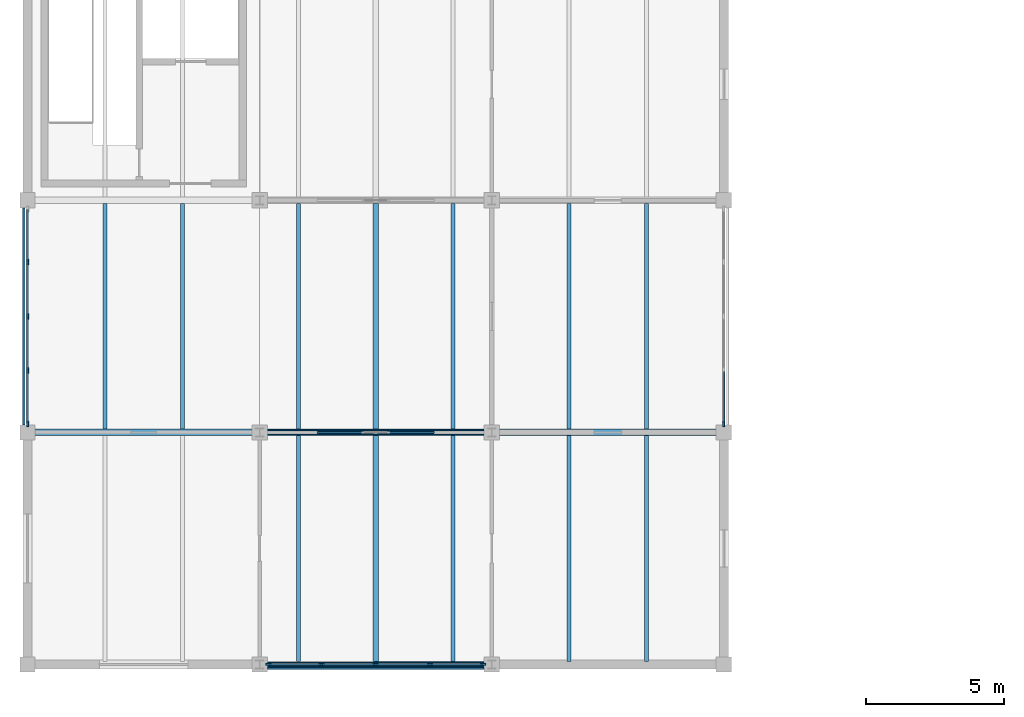
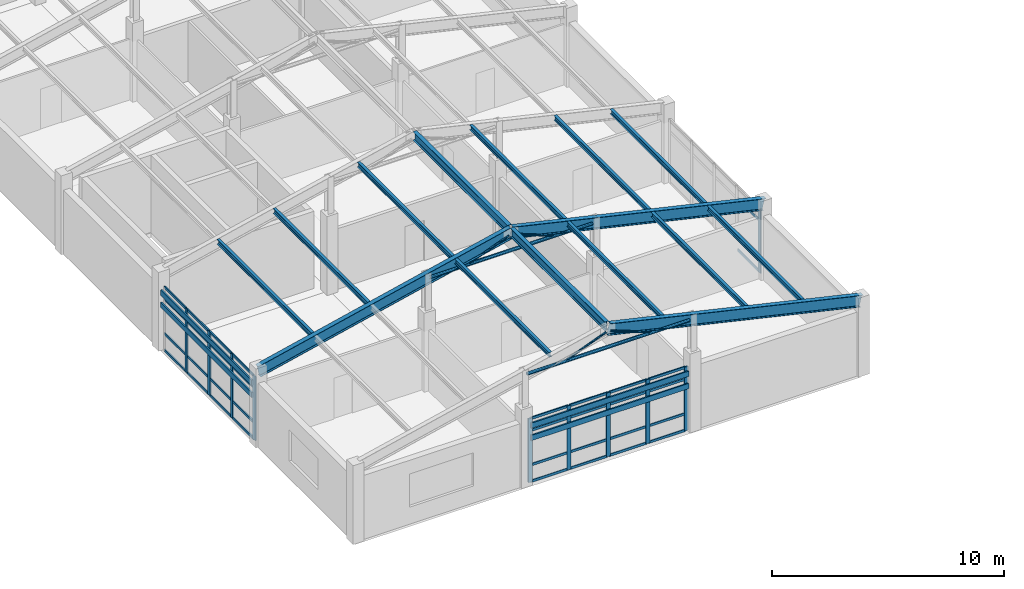
# One storey, part 4 of 40: 65 members, 5 beams, 3 elements without a shape of their own.
"""IFC4 building model written with IfcOpenShell, lengths in metres."""

import ifcopenshell
import ifcopenshell.guid

model = None  # the IFC model being written
_history = None  # IfcOwnerHistory: only IFC2X3 demands one
_inside = {}  # id of a spatial element -> (the spatial element, [elements in it])
_under = {}  # id of a project, library or spatial element -> (it, [spatial elements below it])
_declared = {}  # id of a project -> (the project, [libraries it declares])
_typed = {}  # id of a type object -> (the type object, [elements of that type])
_made_of = {}  # id of a material, layer set ... -> (it, [elements and type objects made of it])


def new_model(schema):
    """Start an empty IFC model of exactly this schema.

    Asked for "IFC4X3", IfcOpenShell would pick the latest addendum, in which some entities
    have other attributes; the version numbers below select the first issue.
    IFC2X3 requires an IfcOwnerHistory on every rooted entity: one is made here for all.
    """
    global model, _history
    if schema == "IFC4X3":
        model = ifcopenshell.file(schema_version=(4, 3, 0, 0))
    else:
        model = ifcopenshell.file(schema=schema)
    _inside.clear()
    _under.clear()
    _declared.clear()
    _typed.clear()
    _made_of.clear()
    _history = None
    if model.schema == "IFC2X3":
        org = make("IfcOrganization", Name="unknown")
        user = make(
            "IfcPersonAndOrganization",
            ThePerson=make("IfcPerson", FamilyName="unknown"),
            TheOrganization=org,
        )
        app = make(
            "IfcApplication",
            ApplicationDeveloper=org,
            Version="unknown",
            ApplicationFullName="unknown",
            ApplicationIdentifier="unknown",
        )
        _history = make(
            "IfcOwnerHistory",
            OwningUser=user,
            OwningApplication=app,
            ChangeAction="ADDED",
            CreationDate=0,
        )
    return model


def make(cls, **values):
    """One entity of the class cls with the attributes given. An attribute that is None is left unset."""
    return model.create_entity(
        cls, **{name: value for name, value in values.items() if value is not None}
    )


def rooted(cls, **values):
    """An entity with a GlobalId (a new one), such as an element, a storey or a relation."""
    return make(cls, GlobalId=ifcopenshell.guid.new(), OwnerHistory=_history, **values)


def si_unit(unit_type, name, prefix=None):
    """IfcSIUnit, for example si_unit("LENGTHUNIT", "METRE", prefix="MILLI")."""
    return make("IfcSIUnit", UnitType=unit_type, Prefix=prefix, Name=name)


def assignment(units):
    """IfcUnitAssignment: the units of a project."""
    return None if units is None else make("IfcUnitAssignment", Units=units)


def point(xyz):
    """IfcCartesianPoint."""
    return None if xyz is None else make("IfcCartesianPoint", Coordinates=xyz)


def direction(xyz):
    """IfcDirection."""
    return None if xyz is None else make("IfcDirection", DirectionRatios=xyz)


def frame(location, z_axis=None, x_axis=None):
    """IfcAxis2Placement3D, a coordinate frame: its origin and axes. An axis left out is left unset."""
    return make(
        "IfcAxis2Placement3D",
        Location=point(location),
        Axis=direction(z_axis),
        RefDirection=direction(x_axis),
    )


def frame_2d(location, x_axis=None):
    """IfcAxis2Placement2D, a coordinate frame in the plane: its origin and x axis."""
    return make(
        "IfcAxis2Placement2D", Location=point(location), RefDirection=direction(x_axis)
    )


def origin():
    """The frame at (0, 0, 0) with its axes left unset."""
    return frame((0.0, 0.0, 0.0))


def origin_2d():
    """The frame at (0, 0) in the plane with its x axis left unset."""
    return frame_2d((0.0, 0.0))


def place(relative_to, where):
    """IfcLocalPlacement: puts the frame where relative to a parent placement (None: the world)."""
    return make(
        "IfcLocalPlacement", PlacementRelTo=relative_to, RelativePlacement=where
    )


def context(
    kind, dimensions, precision=None, world=None, true_north=None, identifier=None
):
    """IfcGeometricRepresentationContext, for example the 3D "Model" context."""
    return make(
        "IfcGeometricRepresentationContext",
        ContextIdentifier=identifier,
        ContextType=kind,
        CoordinateSpaceDimension=dimensions,
        Precision=precision,
        WorldCoordinateSystem=world,
        TrueNorth=true_north,
    )


def subcontext(parent, identifier, kind, view, scale=None):
    """IfcGeometricRepresentationSubContext, for example "Body" below "Model"."""
    return make(
        "IfcGeometricRepresentationSubContext",
        ContextIdentifier=identifier,
        ContextType=kind,
        ParentContext=parent,
        TargetScale=scale,
        TargetView=view,
    )


def project(units=None, contexts=None):
    """IfcProject with its units and contexts."""
    return rooted(
        "IfcProject",
        Name="project",
        RepresentationContexts=contexts,
        UnitsInContext=assignment(units),
    )


def spatial(cls, under=None, at=None, **own):
    """A site, building, storey or space (cls), placed at a placement, below another one or the project."""
    s = rooted(cls, ObjectPlacement=at, **own)
    if under is not None:
        _under.setdefault(under.id(), (under, []))[1].append(s)
    return s


def profile(cls, at=None, kind="AREA", **sizes):
    """A parametric profile (cls). Its sizes go by their IFC names, for example OverallWidth=200.0."""
    return make(cls, ProfileType=kind, Position=at, **sizes)


def rectangle(**sizes):
    """IfcRectangleProfileDef."""
    return profile("IfcRectangleProfileDef", **sizes)


def hollow_circle(**sizes):
    """IfcCircleHollowProfileDef."""
    return profile("IfcCircleHollowProfileDef", **sizes)


def i_section(**sizes):
    """IfcIShapeProfileDef."""
    return profile("IfcIShapeProfileDef", **sizes)


def extrude(swept, where, along, depth):
    """IfcExtrudedAreaSolid: the profile swept, set in the frame where, extruded along a direction by depth."""
    return make(
        "IfcExtrudedAreaSolid",
        SweptArea=swept,
        Position=where,
        ExtrudedDirection=direction(along),
        Depth=depth,
    )


def shape(context_of_items, identifier, shape_type, items):
    """IfcShapeRepresentation: the items that make up one representation, for example the "Body"."""
    return make(
        "IfcShapeRepresentation",
        ContextOfItems=context_of_items,
        RepresentationIdentifier=identifier,
        RepresentationType=shape_type,
        Items=items,
    )


def material(Name=None, Category=None):
    """IfcMaterial."""
    return make("IfcMaterial", Name=Name, Category=Category)


def layer(
    of_material, thickness, ventilated=None, Name=None, Category=None, Priority=None
):
    """IfcMaterialLayer: one layer of a wall or slab, of a material (None: an air gap)."""
    return make(
        "IfcMaterialLayer",
        Material=of_material,
        LayerThickness=thickness,
        IsVentilated=ventilated,
        Name=Name,
        Category=Category,
        Priority=Priority,
    )


def layer_set(layers, Name=None):
    """IfcMaterialLayerSet."""
    return make("IfcMaterialLayerSet", MaterialLayers=layers, LayerSetName=Name)


def material_profile(
    of_material, cross_section, Name=None, Category=None, Priority=None
):
    """IfcMaterialProfile: a cross section and its material."""
    return make(
        "IfcMaterialProfile",
        Name=Name,
        Material=of_material,
        Profile=cross_section,
        Priority=Priority,
        Category=Category,
    )


def profile_set(profiles, Name=None, composite=None):
    """IfcMaterialProfileSet."""
    return make(
        "IfcMaterialProfileSet",
        Name=Name,
        MaterialProfiles=profiles,
        CompositeProfile=composite,
    )


def made_of(thing, what):
    """Note that an element or type object is made of a material, layer set ...; save() writes the relation."""
    if what is not None:
        _made_of.setdefault(what.id(), (what, []))[1].append(thing)
    return thing


def type_object(cls, material=None, **own):
    """A type object (cls), such as IfcWallType, which elements share."""
    return made_of(rooted(cls, **own), material)


def element(
    cls,
    number,
    at=None,
    inside=None,
    cuts=None,
    type_object=None,
    material=None,
    context=None,
    identifier="Body",
    shape_type=None,
    held_by="IfcProductDefinitionShape",
    body=None,
    shapes=None,
    **own,
):
    """One element of the class cls, such as IfcWall. Its Tag is "e" and its number.

    at: its placement. inside: the storey or other place that contains it. cuts: it is an
    opening in that element (IfcRelVoidsElement). A single representation is given by context,
    identifier, shape_type and body (its items); several are given by shapes. held_by: the class
    of the entity that holds the representations. save() writes the other relations.
    """
    e = rooted(cls, Tag="e%d" % number, ObjectPlacement=at, **own)
    if body is not None:
        shapes = [shape(context, identifier, shape_type, body)]
    if shapes is not None:
        e.Representation = make(held_by, Representations=shapes)
    if inside is not None:
        _inside.setdefault(inside.id(), (inside, []))[1].append(e)
    if cuts is not None:
        rooted(
            "IfcRelVoidsElement", RelatingBuildingElement=cuts, RelatedOpeningElement=e
        )
    if type_object is not None:
        _typed.setdefault(type_object.id(), (type_object, []))[1].append(e)
    return made_of(e, material)


def aggregate(whole, parts):
    """IfcRelAggregates: a whole, such as a stair, and the parts it consists of."""
    return rooted("IfcRelAggregates", RelatingObject=whole, RelatedObjects=parts)


def save(model, path):
    """Write the relations noted so far, then the file.

    IfcRelAggregates (storeys below a building ...), IfcRelContainedInSpatialStructure (elements
    in a storey), IfcRelDefinesByType, IfcRelAssociatesMaterial and IfcRelDeclares: one each for
    every whole, place, type object, material and project.
    """
    for whole, parts in _under.values():
        aggregate(whole, parts)
    for where, things in _inside.values():
        rooted(
            "IfcRelContainedInSpatialStructure",
            RelatedElements=things,
            RelatingStructure=where,
        )
    for kind, things in _typed.values():
        rooted("IfcRelDefinesByType", RelatedObjects=things, RelatingType=kind)
    for what, things in _made_of.values():
        rooted("IfcRelAssociatesMaterial", RelatedObjects=things, RelatingMaterial=what)
    for by, libraries in _declared.values():
        rooted("IfcRelDeclares", RelatingContext=by, RelatedDefinitions=libraries)
    model.write(path)


model = new_model("IFC4")

# Units and contexts
model_context = context("Model", 3, precision=1e-05, world=origin(), true_north=direction((0.0, 1.0)))
body_context = subcontext(model_context, "Body", "Model", "MODEL_VIEW")
ifc_project = project(units=[si_unit("LENGTHUNIT", "METRE"), si_unit("AREAUNIT", "SQUARE_METRE"), si_unit("VOLUMEUNIT", "CUBIC_METRE"), si_unit("PLANEANGLEUNIT", "RADIAN"), si_unit("MASSUNIT", "GRAM", prefix="KILO")], contexts=[model_context])

# Site, building, storey
site_placement = place(None, origin())
site = spatial("IfcSite", under=ifc_project, at=site_placement, CompositionType="ELEMENT")
building_placement = place(site_placement, origin())
building = spatial("IfcBuilding", under=site, at=building_placement, Name="Porcellanite Civic Hall", CompositionType="ELEMENT")
storey_placement = place(building_placement, frame((0.0, 0.0, 19.080078125)))
storey = spatial("IfcBuildingStorey", under=building, at=storey_placement, Name="L04", CompositionType="ELEMENT", Elevation=19.080078125)

# Members
ifc_material_1 = material(Name="Steel C350L0", Category="steel")
ifc_material_profile_1 = material_profile(ifc_material_1, hollow_circle(Radius=0.05712890625, WallThickness=0.006103515625, at=origin_2d()), Name="114.3x6.0CHS")
ifc_profile_set_1 = profile_set([ifc_material_profile_1], Name="Steel C350L0")
member_type_1 = type_object("IfcMemberType", Name="BRC-114CHS", PredefinedType="BRACE", material=ifc_profile_set_1)
for number, where, z_axis, x_axis, name in (
    (1, (18.89990234375, 16.800048828125, 5.7998046875), (0.931726918687, 0.0, 0.363159674239), (0.0, 1.0, 0.0), "Committee west web 2"),
    (2, (23.10009765625, 16.800048828125, 5.7998046875), (-0.931726918687, 0.0, 0.363159674239), (0.0, -1.0, 0.0), "Committee east web 2"),
    (3, (18.89990234375, 25.199951171875, 5.7998046875), (0.931726918687, 0.0, 0.363159674239), (0.0, 1.0, 0.0), "Committee west web 3"),
    (4, (23.10009765625, 25.199951171875, 5.7998046875), (-0.931726918687, 0.0, 0.363159674239), (0.0, -1.0, 0.0), "Committee east web 3"),
):
    element("IfcMember", number, at=place(storey_placement, frame(where, z_axis=z_axis, x_axis=x_axis)), inside=storey, type_object=member_type_1, Name=name, PredefinedType="BRACE", context=body_context, shape_type="SweptSolid", body=[
        extrude(hollow_circle(Radius=0.05712890625, WallThickness=0.006103515625, at=origin_2d()), origin(), (0.0, 0.0, 1.0), 2.146484375),
    ])
ifc_material_2 = material(Name="Steel C350L0", Category="steel")
ifc_material_profile_2 = material_profile(ifc_material_2, hollow_circle(Radius=0.084228515625, WallThickness=0.007080078125, at=origin_2d()), Name="168.3x7.1CHS")
ifc_profile_set_2 = profile_set([ifc_material_profile_2], Name="Steel C350L0")
member_type_2 = type_object("IfcMemberType", Name="BRC-168CHS", PredefinedType="BRACE", material=ifc_profile_set_2)
for number, where, z_axis, x_axis, name in (
    (5, (16.949951171875, 16.800048828125, 5.759765625), (1.0, 0.0, 0.0), (0.0, 1.0, 0.0), "Committee collar tie 2"),
    (6, (16.949951171875, 25.199951171875, 5.759765625), (1.0, 0.0, 0.0), (0.0, 1.0, 0.0), "Committee collar tie 3"),
):
    element("IfcMember", number, at=place(storey_placement, frame(where, z_axis=z_axis, x_axis=x_axis)), inside=storey, type_object=member_type_2, Name=name, PredefinedType="BRACE", context=body_context, shape_type="SweptSolid", body=[
        extrude(hollow_circle(Radius=0.084228515625, WallThickness=0.007080078125, at=origin_2d()), origin(), (0.0, 0.0, 1.0), 8.10009765625),
    ])

# Curtain wall, members
ifc_material_3 = material(Name="Anodised aluminium and solar laminated glass", Category="aluminium")
ifc_layer = layer(ifc_material_3, 0.179931640625)
ifc_layer_set = layer_set([ifc_layer], Name="Anodised aluminium and solar laminated glass")
curtain_wall_type = type_object("IfcCurtainWallType", Name="CW-SYS05", PredefinedType="NOTDEFINED", material=ifc_layer_set)
curtain_wall_1_placement = place(storey_placement, origin())
curtain_wall_1 = element("IfcCurtainWall", 7, at=curtain_wall_1_placement, inside=storey, type_object=curtain_wall_type, Name="Curtain wall CW-229", PredefinedType="NOTDEFINED")
ifc_material_4 = material(Name="Anodised aluminium 6063-T6", Category="aluminium")
ifc_material_profile_3 = material_profile(ifc_material_4, rectangle(XDim=0.070068359375, YDim=0.199951171875, at=origin_2d()), Name="AL-70x200")
ifc_profile_set_3 = profile_set([ifc_material_profile_3], Name="Anodised aluminium 6063-T6")
member_type_3 = type_object("IfcMemberType", Name="CWM-05", PredefinedType="MULLION", material=ifc_profile_set_3)
member_1_placement = place(storey_placement, frame((8.39990234375, 25.510986328125, 0.0), z_axis=(0.0, 0.0, 1.0), x_axis=(-1.0, 0.0, 0.0)))
member_1 = element("IfcMember", 8, at=member_1_placement, type_object=member_type_3, Name="CW-229 mullion 1", PredefinedType="MULLION", context=body_context, shape_type="SweptSolid", body=[
    extrude(rectangle(XDim=0.070068359375, YDim=0.199951171875, at=origin_2d()), origin(), (0.0, 0.0, 1.0), 3.369873046875),
])
member_2_placement = place(storey_placement, frame((8.39990234375, 27.43798828125, 0.0), z_axis=(0.0, 0.0, 1.0), x_axis=(-1.0, 0.0, 0.0)))
member_2 = element("IfcMember", 9, at=member_2_placement, type_object=member_type_3, Name="CW-229 mullion 2", PredefinedType="MULLION", context=body_context, shape_type="SweptSolid", body=[
    extrude(rectangle(XDim=0.070068359375, YDim=0.199951171875, at=origin_2d()), origin(), (0.0, 0.0, 1.0), 3.369873046875),
])
member_3_placement = place(storey_placement, frame((8.39990234375, 29.39990234375, 0.0), z_axis=(0.0, 0.0, 1.0), x_axis=(-1.0, 0.0, 0.0)))
member_3 = element("IfcMember", 10, at=member_3_placement, type_object=member_type_3, Name="CW-229 mullion 3", PredefinedType="MULLION", context=body_context, shape_type="SweptSolid", body=[
    extrude(rectangle(XDim=0.070068359375, YDim=0.199951171875, at=origin_2d()), origin(), (0.0, 0.0, 1.0), 3.369873046875),
])
member_4_placement = place(storey_placement, frame((8.39990234375, 31.362060546875, 0.0), z_axis=(0.0, 0.0, 1.0), x_axis=(-1.0, 0.0, 0.0)))
member_4 = element("IfcMember", 11, at=member_4_placement, type_object=member_type_3, Name="CW-229 mullion 4", PredefinedType="MULLION", context=body_context, shape_type="SweptSolid", body=[
    extrude(rectangle(XDim=0.070068359375, YDim=0.199951171875, at=origin_2d()), origin(), (0.0, 0.0, 1.0), 3.369873046875),
])

curtain_wall_2_placement = place(storey_placement, origin())
curtain_wall_2 = element("IfcCurtainWall", 12, at=curtain_wall_2_placement, inside=storey, type_object=curtain_wall_type, Name="Curtain wall CW-232", PredefinedType="NOTDEFINED")
member_5_placement = place(storey_placement, frame((24.888916015625, 16.800048828125, 0.0), z_axis=(0.0, 0.0, 1.0), x_axis=(0.0, -1.0, 0.0)))
member_5 = element("IfcMember", 13, at=member_5_placement, type_object=member_type_3, Name="CW-232 mullion 1", PredefinedType="MULLION", context=body_context, shape_type="SweptSolid", body=[
    extrude(rectangle(XDim=0.070068359375, YDim=0.199951171875, at=origin_2d()), origin(), (0.0, 0.0, 1.0), 3.369873046875),
])
member_6_placement = place(storey_placement, frame((22.9619140625, 16.800048828125, 0.0), z_axis=(0.0, 0.0, 1.0), x_axis=(0.0, -1.0, 0.0)))
member_6 = element("IfcMember", 14, at=member_6_placement, type_object=member_type_3, Name="CW-232 mullion 2", PredefinedType="MULLION", context=body_context, shape_type="SweptSolid", body=[
    extrude(rectangle(XDim=0.070068359375, YDim=0.199951171875, at=origin_2d()), origin(), (0.0, 0.0, 1.0), 3.369873046875),
])
member_7_placement = place(storey_placement, frame((21.0, 16.800048828125, 0.0), z_axis=(0.0, 0.0, 1.0), x_axis=(0.0, -1.0, 0.0)))
member_7 = element("IfcMember", 15, at=member_7_placement, type_object=member_type_3, Name="CW-232 mullion 3", PredefinedType="MULLION", context=body_context, shape_type="SweptSolid", body=[
    extrude(rectangle(XDim=0.070068359375, YDim=0.199951171875, at=origin_2d()), origin(), (0.0, 0.0, 1.0), 3.369873046875),
])
member_8_placement = place(storey_placement, frame((19.0380859375, 16.800048828125, 0.0), z_axis=(0.0, 0.0, 1.0), x_axis=(0.0, -1.0, 0.0)))
member_8 = element("IfcMember", 16, at=member_8_placement, type_object=member_type_3, Name="CW-232 mullion 4", PredefinedType="MULLION", context=body_context, shape_type="SweptSolid", body=[
    extrude(rectangle(XDim=0.070068359375, YDim=0.199951171875, at=origin_2d()), origin(), (0.0, 0.0, 1.0), 3.369873046875),
])
member_9_placement = place(storey_placement, frame((17.111083984375, 16.800048828125, 0.0), z_axis=(0.0, 0.0, 1.0), x_axis=(0.0, -1.0, 0.0)))
member_9 = element("IfcMember", 17, at=member_9_placement, type_object=member_type_3, Name="CW-232 mullion 5", PredefinedType="MULLION", context=body_context, shape_type="SweptSolid", body=[
    extrude(rectangle(XDim=0.070068359375, YDim=0.199951171875, at=origin_2d()), origin(), (0.0, 0.0, 1.0), 3.369873046875),
])

# Curtain wall, member
curtain_wall_3_placement = place(storey_placement, origin())
curtain_wall_3 = element("IfcCurtainWall", 18, at=curtain_wall_3_placement, inside=storey, type_object=curtain_wall_type, Name="Curtain wall CW-233", PredefinedType="NOTDEFINED")
member_10_placement = place(storey_placement, frame((33.60009765625, 25.510986328125, 0.0), z_axis=(0.0, 0.0, 1.0), x_axis=(1.0, 0.0, 0.0)))
member_10 = element("IfcMember", 19, at=member_10_placement, type_object=member_type_3, Name="CW-233 mullion 5", PredefinedType="MULLION", context=body_context, shape_type="SweptSolid", body=[
    extrude(rectangle(XDim=0.070068359375, YDim=0.199951171875, at=origin_2d()), origin(), (0.0, 0.0, 1.0), 3.369873046875),
])

# Member
ifc_material_5 = material(Name="Anodised aluminium 6063-T6", Category="aluminium")
ifc_material_profile_4 = material_profile(ifc_material_5, rectangle(XDim=0.06005859375, YDim=0.1298828125, at=origin_2d()), Name="AL-60x130")
ifc_profile_set_4 = profile_set([ifc_material_profile_4], Name="Anodised aluminium 6063-T6")
member_type_4 = type_object("IfcMemberType", Name="CWT-03", PredefinedType="USERDEFINED", material=ifc_profile_set_4)
member_11_placement = place(storey_placement, frame((8.39990234375, 25.5458984375, 0.030029296875), z_axis=(0.0, 1.0, 0.0), x_axis=(-1.0, 0.0, 0.0)))
member_11 = element("IfcMember", 20, at=member_11_placement, type_object=member_type_4, Name="CW-229 transom 1.1", ObjectType="TRANSOM", PredefinedType="USERDEFINED", context=body_context, shape_type="SweptSolid", body=[
    extrude(rectangle(XDim=0.06005859375, YDim=0.1298828125, at=origin_2d()), origin(), (0.0, 0.0, 1.0), 1.857177734375),
])

member_12_placement = place(storey_placement, frame((8.39990234375, 25.5458984375, 0.89990234375), z_axis=(0.0, 1.0, 0.0), x_axis=(-1.0, 0.0, 0.0)))
member_12 = element("IfcMember", 21, at=member_12_placement, type_object=member_type_4, Name="CW-229 transom 1.2", ObjectType="TRANSOM", PredefinedType="USERDEFINED", context=body_context, shape_type="SweptSolid", body=[
    extrude(rectangle(XDim=0.06005859375, YDim=0.1298828125, at=origin_2d()), origin(), (0.0, 0.0, 1.0), 1.857177734375),
])

member_13_placement = place(storey_placement, frame((8.39990234375, 25.5458984375, 2.719970703125), z_axis=(0.0, 1.0, 0.0), x_axis=(-1.0, 0.0, 0.0)))
member_13 = element("IfcMember", 22, at=member_13_placement, type_object=member_type_4, Name="CW-229 transom 1.3", ObjectType="TRANSOM", PredefinedType="USERDEFINED", context=body_context, shape_type="SweptSolid", body=[
    extrude(rectangle(XDim=0.06005859375, YDim=0.1298828125, at=origin_2d()), origin(), (0.0, 0.0, 1.0), 1.857177734375),
])

member_14_placement = place(storey_placement, frame((8.39990234375, 25.5458984375, 3.33984375), z_axis=(0.0, 1.0, 0.0), x_axis=(-1.0, 0.0, 0.0)))
member_14 = element("IfcMember", 23, at=member_14_placement, type_object=member_type_4, Name="CW-229 transom 1.4", ObjectType="TRANSOM", PredefinedType="USERDEFINED", context=body_context, shape_type="SweptSolid", body=[
    extrude(rectangle(XDim=0.06005859375, YDim=0.1298828125, at=origin_2d()), origin(), (0.0, 0.0, 1.0), 1.857177734375),
])

member_15_placement = place(storey_placement, frame((8.39990234375, 27.472900390625, 0.030029296875), z_axis=(0.0, 1.0, 0.0), x_axis=(-1.0, 0.0, 0.0)))
member_15 = element("IfcMember", 24, at=member_15_placement, type_object=member_type_4, Name="CW-229 transom 2.1", ObjectType="TRANSOM", PredefinedType="USERDEFINED", context=body_context, shape_type="SweptSolid", body=[
    extrude(rectangle(XDim=0.06005859375, YDim=0.1298828125, at=origin_2d()), origin(), (0.0, 0.0, 1.0), 1.89208984375),
])

member_16_placement = place(storey_placement, frame((8.39990234375, 27.472900390625, 0.89990234375), z_axis=(0.0, 1.0, 0.0), x_axis=(-1.0, 0.0, 0.0)))
member_16 = element("IfcMember", 25, at=member_16_placement, type_object=member_type_4, Name="CW-229 transom 2.2", ObjectType="TRANSOM", PredefinedType="USERDEFINED", context=body_context, shape_type="SweptSolid", body=[
    extrude(rectangle(XDim=0.06005859375, YDim=0.1298828125, at=origin_2d()), origin(), (0.0, 0.0, 1.0), 1.89208984375),
])

member_17_placement = place(storey_placement, frame((8.39990234375, 27.472900390625, 2.719970703125), z_axis=(0.0, 1.0, 0.0), x_axis=(-1.0, 0.0, 0.0)))
member_17 = element("IfcMember", 26, at=member_17_placement, type_object=member_type_4, Name="CW-229 transom 2.3", ObjectType="TRANSOM", PredefinedType="USERDEFINED", context=body_context, shape_type="SweptSolid", body=[
    extrude(rectangle(XDim=0.06005859375, YDim=0.1298828125, at=origin_2d()), origin(), (0.0, 0.0, 1.0), 1.89208984375),
])

member_18_placement = place(storey_placement, frame((8.39990234375, 27.472900390625, 3.33984375), z_axis=(0.0, 1.0, 0.0), x_axis=(-1.0, 0.0, 0.0)))
member_18 = element("IfcMember", 27, at=member_18_placement, type_object=member_type_4, Name="CW-229 transom 2.4", ObjectType="TRANSOM", PredefinedType="USERDEFINED", context=body_context, shape_type="SweptSolid", body=[
    extrude(rectangle(XDim=0.06005859375, YDim=0.1298828125, at=origin_2d()), origin(), (0.0, 0.0, 1.0), 1.89208984375),
])

member_19_placement = place(storey_placement, frame((8.39990234375, 29.43505859375, 0.030029296875), z_axis=(0.0, 1.0, 0.0), x_axis=(-1.0, 0.0, 0.0)))
member_19 = element("IfcMember", 28, at=member_19_placement, type_object=member_type_4, Name="CW-229 transom 3.1", ObjectType="TRANSOM", PredefinedType="USERDEFINED", context=body_context, shape_type="SweptSolid", body=[
    extrude(rectangle(XDim=0.06005859375, YDim=0.1298828125, at=origin_2d()), origin(), (0.0, 0.0, 1.0), 1.891845703125),
])

member_20_placement = place(storey_placement, frame((8.39990234375, 29.43505859375, 0.89990234375), z_axis=(0.0, 1.0, 0.0), x_axis=(-1.0, 0.0, 0.0)))
member_20 = element("IfcMember", 29, at=member_20_placement, type_object=member_type_4, Name="CW-229 transom 3.2", ObjectType="TRANSOM", PredefinedType="USERDEFINED", context=body_context, shape_type="SweptSolid", body=[
    extrude(rectangle(XDim=0.06005859375, YDim=0.1298828125, at=origin_2d()), origin(), (0.0, 0.0, 1.0), 1.891845703125),
])

member_21_placement = place(storey_placement, frame((8.39990234375, 29.43505859375, 2.719970703125), z_axis=(0.0, 1.0, 0.0), x_axis=(-1.0, 0.0, 0.0)))
member_21 = element("IfcMember", 30, at=member_21_placement, type_object=member_type_4, Name="CW-229 transom 3.3", ObjectType="TRANSOM", PredefinedType="USERDEFINED", context=body_context, shape_type="SweptSolid", body=[
    extrude(rectangle(XDim=0.06005859375, YDim=0.1298828125, at=origin_2d()), origin(), (0.0, 0.0, 1.0), 1.891845703125),
])

member_22_placement = place(storey_placement, frame((8.39990234375, 29.43505859375, 3.33984375), z_axis=(0.0, 1.0, 0.0), x_axis=(-1.0, 0.0, 0.0)))
member_22 = element("IfcMember", 31, at=member_22_placement, type_object=member_type_4, Name="CW-229 transom 3.4", ObjectType="TRANSOM", PredefinedType="USERDEFINED", context=body_context, shape_type="SweptSolid", body=[
    extrude(rectangle(XDim=0.06005859375, YDim=0.1298828125, at=origin_2d()), origin(), (0.0, 0.0, 1.0), 1.891845703125),
])

member_23_placement = place(storey_placement, frame((8.39990234375, 31.39697265625, 0.030029296875), z_axis=(0.0, 1.0, 0.0), x_axis=(-1.0, 0.0, 0.0)))
member_23 = element("IfcMember", 32, at=member_23_placement, type_object=member_type_4, Name="CW-229 transom 4.1", ObjectType="TRANSOM", PredefinedType="USERDEFINED", context=body_context, shape_type="SweptSolid", body=[
    extrude(rectangle(XDim=0.06005859375, YDim=0.1298828125, at=origin_2d()), origin(), (0.0, 0.0, 1.0), 1.85693359375),
])

member_24_placement = place(storey_placement, frame((8.39990234375, 31.39697265625, 0.89990234375), z_axis=(0.0, 1.0, 0.0), x_axis=(-1.0, 0.0, 0.0)))
member_24 = element("IfcMember", 33, at=member_24_placement, type_object=member_type_4, Name="CW-229 transom 4.2", ObjectType="TRANSOM", PredefinedType="USERDEFINED", context=body_context, shape_type="SweptSolid", body=[
    extrude(rectangle(XDim=0.06005859375, YDim=0.1298828125, at=origin_2d()), origin(), (0.0, 0.0, 1.0), 1.85693359375),
])

member_25_placement = place(storey_placement, frame((8.39990234375, 31.39697265625, 2.719970703125), z_axis=(0.0, 1.0, 0.0), x_axis=(-1.0, 0.0, 0.0)))
member_25 = element("IfcMember", 34, at=member_25_placement, type_object=member_type_4, Name="CW-229 transom 4.3", ObjectType="TRANSOM", PredefinedType="USERDEFINED", context=body_context, shape_type="SweptSolid", body=[
    extrude(rectangle(XDim=0.06005859375, YDim=0.1298828125, at=origin_2d()), origin(), (0.0, 0.0, 1.0), 1.85693359375),
])

member_26_placement = place(storey_placement, frame((8.39990234375, 31.39697265625, 3.33984375), z_axis=(0.0, 1.0, 0.0), x_axis=(-1.0, 0.0, 0.0)))
member_26 = element("IfcMember", 35, at=member_26_placement, type_object=member_type_4, Name="CW-229 transom 4.4", ObjectType="TRANSOM", PredefinedType="USERDEFINED", context=body_context, shape_type="SweptSolid", body=[
    extrude(rectangle(XDim=0.06005859375, YDim=0.1298828125, at=origin_2d()), origin(), (0.0, 0.0, 1.0), 1.85693359375),
])

aggregate(curtain_wall_1, [member_1, member_2, member_3, member_4, member_11, member_12, member_13, member_14, member_15, member_16, member_17, member_18, member_19, member_20, member_21, member_22, member_23, member_24, member_25, member_26])

member_27_placement = place(storey_placement, frame((24.85400390625, 16.800048828125, 0.030029296875), z_axis=(-1.0, 0.0, 0.0), x_axis=(0.0, -1.0, 0.0)))
member_27 = element("IfcMember", 36, at=member_27_placement, type_object=member_type_4, Name="CW-232 transom 1.1", ObjectType="TRANSOM", PredefinedType="USERDEFINED", context=body_context, shape_type="SweptSolid", body=[
    extrude(rectangle(XDim=0.06005859375, YDim=0.1298828125, at=origin_2d()), origin(), (0.0, 0.0, 1.0), 1.85693359375),
])

member_28_placement = place(storey_placement, frame((24.85400390625, 16.800048828125, 0.89990234375), z_axis=(-1.0, 0.0, 0.0), x_axis=(0.0, -1.0, 0.0)))
member_28 = element("IfcMember", 37, at=member_28_placement, type_object=member_type_4, Name="CW-232 transom 1.2", ObjectType="TRANSOM", PredefinedType="USERDEFINED", context=body_context, shape_type="SweptSolid", body=[
    extrude(rectangle(XDim=0.06005859375, YDim=0.1298828125, at=origin_2d()), origin(), (0.0, 0.0, 1.0), 1.85693359375),
])

member_29_placement = place(storey_placement, frame((24.85400390625, 16.800048828125, 2.719970703125), z_axis=(-1.0, 0.0, 0.0), x_axis=(0.0, -1.0, 0.0)))
member_29 = element("IfcMember", 38, at=member_29_placement, type_object=member_type_4, Name="CW-232 transom 1.3", ObjectType="TRANSOM", PredefinedType="USERDEFINED", context=body_context, shape_type="SweptSolid", body=[
    extrude(rectangle(XDim=0.06005859375, YDim=0.1298828125, at=origin_2d()), origin(), (0.0, 0.0, 1.0), 1.85693359375),
])

member_30_placement = place(storey_placement, frame((24.85400390625, 16.800048828125, 3.33984375), z_axis=(-1.0, 0.0, 0.0), x_axis=(0.0, -1.0, 0.0)))
member_30 = element("IfcMember", 39, at=member_30_placement, type_object=member_type_4, Name="CW-232 transom 1.4", ObjectType="TRANSOM", PredefinedType="USERDEFINED", context=body_context, shape_type="SweptSolid", body=[
    extrude(rectangle(XDim=0.06005859375, YDim=0.1298828125, at=origin_2d()), origin(), (0.0, 0.0, 1.0), 1.85693359375),
])

member_31_placement = place(storey_placement, frame((22.927001953125, 16.800048828125, 0.030029296875), z_axis=(-1.0, 0.0, 0.0), x_axis=(0.0, -1.0, 0.0)))
member_31 = element("IfcMember", 40, at=member_31_placement, type_object=member_type_4, Name="CW-232 transom 2.1", ObjectType="TRANSOM", PredefinedType="USERDEFINED", context=body_context, shape_type="SweptSolid", body=[
    extrude(rectangle(XDim=0.06005859375, YDim=0.1298828125, at=origin_2d()), origin(), (0.0, 0.0, 1.0), 1.89208984375),
])

member_32_placement = place(storey_placement, frame((22.927001953125, 16.800048828125, 0.89990234375), z_axis=(-1.0, 0.0, 0.0), x_axis=(0.0, -1.0, 0.0)))
member_32 = element("IfcMember", 41, at=member_32_placement, type_object=member_type_4, Name="CW-232 transom 2.2", ObjectType="TRANSOM", PredefinedType="USERDEFINED", context=body_context, shape_type="SweptSolid", body=[
    extrude(rectangle(XDim=0.06005859375, YDim=0.1298828125, at=origin_2d()), origin(), (0.0, 0.0, 1.0), 1.89208984375),
])

member_33_placement = place(storey_placement, frame((22.927001953125, 16.800048828125, 2.719970703125), z_axis=(-1.0, 0.0, 0.0), x_axis=(0.0, -1.0, 0.0)))
member_33 = element("IfcMember", 42, at=member_33_placement, type_object=member_type_4, Name="CW-232 transom 2.3", ObjectType="TRANSOM", PredefinedType="USERDEFINED", context=body_context, shape_type="SweptSolid", body=[
    extrude(rectangle(XDim=0.06005859375, YDim=0.1298828125, at=origin_2d()), origin(), (0.0, 0.0, 1.0), 1.89208984375),
])

member_34_placement = place(storey_placement, frame((22.927001953125, 16.800048828125, 3.33984375), z_axis=(-1.0, 0.0, 0.0), x_axis=(0.0, -1.0, 0.0)))
member_34 = element("IfcMember", 43, at=member_34_placement, type_object=member_type_4, Name="CW-232 transom 2.4", ObjectType="TRANSOM", PredefinedType="USERDEFINED", context=body_context, shape_type="SweptSolid", body=[
    extrude(rectangle(XDim=0.06005859375, YDim=0.1298828125, at=origin_2d()), origin(), (0.0, 0.0, 1.0), 1.89208984375),
])

member_35_placement = place(storey_placement, frame((20.965087890625, 16.800048828125, 0.030029296875), z_axis=(-1.0, 0.0, 0.0), x_axis=(0.0, -1.0, 0.0)))
member_35 = element("IfcMember", 44, at=member_35_placement, type_object=member_type_4, Name="CW-232 transom 3.1", ObjectType="TRANSOM", PredefinedType="USERDEFINED", context=body_context, shape_type="SweptSolid", body=[
    extrude(rectangle(XDim=0.06005859375, YDim=0.1298828125, at=origin_2d()), origin(), (0.0, 0.0, 1.0), 1.89208984375),
])

member_36_placement = place(storey_placement, frame((20.965087890625, 16.800048828125, 0.89990234375), z_axis=(-1.0, 0.0, 0.0), x_axis=(0.0, -1.0, 0.0)))
member_36 = element("IfcMember", 45, at=member_36_placement, type_object=member_type_4, Name="CW-232 transom 3.2", ObjectType="TRANSOM", PredefinedType="USERDEFINED", context=body_context, shape_type="SweptSolid", body=[
    extrude(rectangle(XDim=0.06005859375, YDim=0.1298828125, at=origin_2d()), origin(), (0.0, 0.0, 1.0), 1.89208984375),
])

member_37_placement = place(storey_placement, frame((20.965087890625, 16.800048828125, 2.719970703125), z_axis=(-1.0, 0.0, 0.0), x_axis=(0.0, -1.0, 0.0)))
member_37 = element("IfcMember", 46, at=member_37_placement, type_object=member_type_4, Name="CW-232 transom 3.3", ObjectType="TRANSOM", PredefinedType="USERDEFINED", context=body_context, shape_type="SweptSolid", body=[
    extrude(rectangle(XDim=0.06005859375, YDim=0.1298828125, at=origin_2d()), origin(), (0.0, 0.0, 1.0), 1.89208984375),
])

member_38_placement = place(storey_placement, frame((20.965087890625, 16.800048828125, 3.33984375), z_axis=(-1.0, 0.0, 0.0), x_axis=(0.0, -1.0, 0.0)))
member_38 = element("IfcMember", 47, at=member_38_placement, type_object=member_type_4, Name="CW-232 transom 3.4", ObjectType="TRANSOM", PredefinedType="USERDEFINED", context=body_context, shape_type="SweptSolid", body=[
    extrude(rectangle(XDim=0.06005859375, YDim=0.1298828125, at=origin_2d()), origin(), (0.0, 0.0, 1.0), 1.89208984375),
])

member_39_placement = place(storey_placement, frame((19.0029296875, 16.800048828125, 0.030029296875), z_axis=(-1.0, 0.0, 0.0), x_axis=(0.0, -1.0, 0.0)))
member_39 = element("IfcMember", 48, at=member_39_placement, type_object=member_type_4, Name="CW-232 transom 4.1", ObjectType="TRANSOM", PredefinedType="USERDEFINED", context=body_context, shape_type="SweptSolid", body=[
    extrude(rectangle(XDim=0.06005859375, YDim=0.1298828125, at=origin_2d()), origin(), (0.0, 0.0, 1.0), 1.85693359375),
])

member_40_placement = place(storey_placement, frame((19.0029296875, 16.800048828125, 0.89990234375), z_axis=(-1.0, 0.0, 0.0), x_axis=(0.0, -1.0, 0.0)))
member_40 = element("IfcMember", 49, at=member_40_placement, type_object=member_type_4, Name="CW-232 transom 4.2", ObjectType="TRANSOM", PredefinedType="USERDEFINED", context=body_context, shape_type="SweptSolid", body=[
    extrude(rectangle(XDim=0.06005859375, YDim=0.1298828125, at=origin_2d()), origin(), (0.0, 0.0, 1.0), 1.85693359375),
])

member_41_placement = place(storey_placement, frame((19.0029296875, 16.800048828125, 2.719970703125), z_axis=(-1.0, 0.0, 0.0), x_axis=(0.0, -1.0, 0.0)))
member_41 = element("IfcMember", 50, at=member_41_placement, type_object=member_type_4, Name="CW-232 transom 4.3", ObjectType="TRANSOM", PredefinedType="USERDEFINED", context=body_context, shape_type="SweptSolid", body=[
    extrude(rectangle(XDim=0.06005859375, YDim=0.1298828125, at=origin_2d()), origin(), (0.0, 0.0, 1.0), 1.85693359375),
])

member_42_placement = place(storey_placement, frame((19.0029296875, 16.800048828125, 3.33984375), z_axis=(-1.0, 0.0, 0.0), x_axis=(0.0, -1.0, 0.0)))
member_42 = element("IfcMember", 51, at=member_42_placement, type_object=member_type_4, Name="CW-232 transom 4.4", ObjectType="TRANSOM", PredefinedType="USERDEFINED", context=body_context, shape_type="SweptSolid", body=[
    extrude(rectangle(XDim=0.06005859375, YDim=0.1298828125, at=origin_2d()), origin(), (0.0, 0.0, 1.0), 1.85693359375),
])

aggregate(curtain_wall_2, [member_5, member_6, member_7, member_8, member_9, member_27, member_28, member_29, member_30, member_31, member_32, member_33, member_34, member_35, member_36, member_37, member_38, member_39, member_40, member_41, member_42])

member_43_placement = place(storey_placement, frame((33.60009765625, 27.403076171875, 0.030029296875), z_axis=(0.0, -1.0, 0.0), x_axis=(1.0, 0.0, 0.0)))
member_43 = element("IfcMember", 52, at=member_43_placement, type_object=member_type_4, Name="CW-233 transom 4.1", ObjectType="TRANSOM", PredefinedType="USERDEFINED", context=body_context, shape_type="SweptSolid", body=[
    extrude(rectangle(XDim=0.06005859375, YDim=0.1298828125, at=origin_2d()), origin(), (0.0, 0.0, 1.0), 1.857177734375),
])

member_44_placement = place(storey_placement, frame((33.60009765625, 27.403076171875, 0.89990234375), z_axis=(0.0, -1.0, 0.0), x_axis=(1.0, 0.0, 0.0)))
member_44 = element("IfcMember", 53, at=member_44_placement, type_object=member_type_4, Name="CW-233 transom 4.2", ObjectType="TRANSOM", PredefinedType="USERDEFINED", context=body_context, shape_type="SweptSolid", body=[
    extrude(rectangle(XDim=0.06005859375, YDim=0.1298828125, at=origin_2d()), origin(), (0.0, 0.0, 1.0), 1.857177734375),
])

member_45_placement = place(storey_placement, frame((33.60009765625, 27.403076171875, 2.719970703125), z_axis=(0.0, -1.0, 0.0), x_axis=(1.0, 0.0, 0.0)))
member_45 = element("IfcMember", 54, at=member_45_placement, type_object=member_type_4, Name="CW-233 transom 4.3", ObjectType="TRANSOM", PredefinedType="USERDEFINED", context=body_context, shape_type="SweptSolid", body=[
    extrude(rectangle(XDim=0.06005859375, YDim=0.1298828125, at=origin_2d()), origin(), (0.0, 0.0, 1.0), 1.857177734375),
])

aggregate(curtain_wall_3, [member_10, member_43, member_44, member_45])

# Members
ifc_material_6 = material(Name="Fluoropolymer bauxite-red aluminium 6063-T6", Category="aluminium")
ifc_material_profile_5 = material_profile(ifc_material_6, rectangle(XDim=0.070068359375, YDim=0.280029296875, at=origin_2d()), Name="AL-70x280")
ifc_profile_set_5 = profile_set([ifc_material_profile_5], Name="Fluoropolymer bauxite-red aluminium 6063-T6")
member_type_5 = type_object("IfcMemberType", Name="LV-BLD05", PredefinedType="USERDEFINED", material=ifc_profile_set_5)
for number, where, z_axis, x_axis, name in (
    (55, (8.262939453125, 25.474609375, 3.06982421875), (0.0, 1.0, 0.0), (-1.0, 0.0, 0.0), "Cyclone sunshade louvre L04 W 1-3 1"),
    (56, (8.262939453125, 25.474609375, 2.419921875), (0.0, 1.0, 0.0), (-1.0, 0.0, 0.0), "Cyclone sunshade louvre L04 W 1-3 2"),
):
    element("IfcMember", number, at=place(storey_placement, frame(where, z_axis=z_axis, x_axis=x_axis)), inside=storey, type_object=member_type_5, Name=name, ObjectType="LOUVRE BLADE", PredefinedType="USERDEFINED", context=body_context, shape_type="SweptSolid", body=[
        extrude(rectangle(XDim=0.070068359375, YDim=0.280029296875, at=origin_2d()), origin(), (0.0, 0.0, 1.0), 7.850830078125),
    ])
for number, where, z_axis, x_axis, name in (
    (57, (24.925537109375, 16.6630859375, 3.06982421875), (-1.0, 0.0, 0.0), (0.0, -1.0, 0.0), "Cyclone sunshade louvre L04 S 2-2 1"),
    (58, (24.925537109375, 16.6630859375, 2.419921875), (-1.0, 0.0, 0.0), (0.0, -1.0, 0.0), "Cyclone sunshade louvre L04 S 2-2 2"),
):
    element("IfcMember", number, at=place(storey_placement, frame(where, z_axis=z_axis, x_axis=x_axis)), inside=storey, type_object=member_type_5, Name=name, ObjectType="LOUVRE BLADE", PredefinedType="USERDEFINED", context=body_context, shape_type="SweptSolid", body=[
        extrude(rectangle(XDim=0.070068359375, YDim=0.280029296875, at=origin_2d()), origin(), (0.0, 0.0, 1.0), 7.85107421875),
    ])
ifc_material_7 = material(Name="Steel Grade 350", Category="steel")
ifc_material_profile_6 = material_profile(ifc_material_7, i_section(OverallWidth=0.14599609375, OverallDepth=0.251953125, WebThickness=0.006103515625, FlangeThickness=0.008544921875, FilletRadius=0.0087890625, at=origin_2d()), Name="250UB31.4")
ifc_profile_set_6 = profile_set([ifc_material_profile_6], Name="Steel Grade 350")
member_type_6 = type_object("IfcMemberType", Name="PUR-250UB31", PredefinedType="PURLIN", material=ifc_profile_set_6)
for number, where, z_axis, x_axis, name in (
    (59, (18.199951171875, 16.9140625, 6.255859375), (0.0, 1.0, 0.0), (-1.0, 0.0, 0.0), "Committee roof purlin 2 18.2"),
    (60, (23.800048828125, 16.9140625, 6.255859375), (0.0, 1.0, 0.0), (-1.0, 0.0, 0.0), "Committee roof purlin 2 23.8"),
    (61, (28.0, 16.9140625, 5.286376953125), (0.0, 1.0, 0.0), (-1.0, 0.0, 0.0), "Committee roof purlin 2 28.0"),
    (62, (30.800048828125, 16.9140625, 4.639892578125), (0.0, 1.0, 0.0), (-1.0, 0.0, 0.0), "Committee roof purlin 2 30.8"),
):
    element("IfcMember", number, at=place(storey_placement, frame(where, z_axis=z_axis, x_axis=x_axis)), inside=storey, type_object=member_type_6, Name=name, PredefinedType="PURLIN", context=body_context, shape_type="SweptSolid", body=[
        extrude(i_section(OverallWidth=0.14599609375, OverallDepth=0.251953125, WebThickness=0.006103515625, FlangeThickness=0.008544921875, FilletRadius=0.0087890625, at=origin_2d()), origin(), (0.0, 0.0, 1.0), 8.171875),
    ])
for number, where, z_axis, x_axis, name in (
    (63, (11.199951171875, 25.31396484375, 4.639892578125), (0.0, 1.0, 0.0), (-1.0, 0.0, 0.0), "Committee roof purlin 3 11.2"),
    (64, (14.0, 25.31396484375, 5.286376953125), (0.0, 1.0, 0.0), (-1.0, 0.0, 0.0), "Committee roof purlin 3 14.0"),
    (65, (18.199951171875, 25.31396484375, 6.255859375), (0.0, 1.0, 0.0), (-1.0, 0.0, 0.0), "Committee roof purlin 3 18.2"),
    (66, (23.800048828125, 25.31396484375, 6.255859375), (0.0, 1.0, 0.0), (-1.0, 0.0, 0.0), "Committee roof purlin 3 23.8"),
    (67, (28.0, 25.31396484375, 5.286376953125), (0.0, 1.0, 0.0), (-1.0, 0.0, 0.0), "Committee roof purlin 3 28.0"),
    (68, (30.800048828125, 25.31396484375, 4.639892578125), (0.0, 1.0, 0.0), (-1.0, 0.0, 0.0), "Committee roof purlin 3 30.8"),
):
    element("IfcMember", number, at=place(storey_placement, frame(where, z_axis=z_axis, x_axis=x_axis)), inside=storey, type_object=member_type_6, Name=name, PredefinedType="PURLIN", context=body_context, shape_type="SweptSolid", body=[
        extrude(i_section(OverallWidth=0.14599609375, OverallDepth=0.251953125, WebThickness=0.006103515625, FlangeThickness=0.008544921875, FilletRadius=0.0087890625, at=origin_2d()), origin(), (0.0, 0.0, 1.0), 8.172119140625),
    ])

# Beams
ifc_material_8 = material(Name="Steel Grade 350", Category="steel")
ifc_material_profile_7 = material_profile(ifc_material_8, i_section(OverallWidth=0.19091796875, OverallDepth=0.4599609375, WebThickness=0.010009765625, FlangeThickness=0.01611328125, FilletRadius=0.011474609375, at=origin_2d()), Name="460UB82.1")
ifc_profile_set_7 = profile_set([ifc_material_profile_7], Name="Steel Grade 350")
beam_type_1 = type_object("IfcBeamType", Name="RAF-460UB82", PredefinedType="BEAM", material=ifc_profile_set_7)
beam_1_placement = place(storey_placement, frame((21.0, 16.9140625, 6.79150390625), z_axis=(0.0, 1.0, 0.0), x_axis=(-1.0, 0.0, 0.0)))
element("IfcBeam", 69, at=beam_1_placement, inside=storey, type_object=beam_type_1, Name="Committee ridge beam 2", PredefinedType="BEAM", context=body_context, shape_type="SweptSolid", body=[
    extrude(i_section(OverallWidth=0.19091796875, OverallDepth=0.4599609375, WebThickness=0.010009765625, FlangeThickness=0.01611328125, FilletRadius=0.011474609375, at=origin_2d()), origin(), (0.0, 0.0, 1.0), 8.171875),
])
beam_2_placement = place(storey_placement, frame((21.0, 25.31396484375, 6.79150390625), z_axis=(0.0, 1.0, 0.0), x_axis=(-1.0, 0.0, 0.0)))
element("IfcBeam", 70, at=beam_2_placement, inside=storey, type_object=beam_type_1, Name="Committee ridge beam 3", PredefinedType="BEAM", context=body_context, shape_type="SweptSolid", body=[
    extrude(i_section(OverallWidth=0.19091796875, OverallDepth=0.4599609375, WebThickness=0.010009765625, FlangeThickness=0.01611328125, FilletRadius=0.011474609375, at=origin_2d()), origin(), (0.0, 0.0, 1.0), 8.172119140625),
])
ifc_material_9 = material(Name="Steel Grade 350", Category="steel")
ifc_material_profile_8 = material_profile(ifc_material_9, i_section(OverallWidth=0.22802734375, OverallDepth=0.60205078125, WebThickness=0.010498046875, FlangeThickness=0.014892578125, FilletRadius=0.013916015625, at=origin_2d()), Name="610UB101")
ifc_profile_set_8 = profile_set([ifc_material_profile_8], Name="Steel Grade 350")
beam_type_2 = type_object("IfcBeamType", Name="RAF-610UB101", PredefinedType="BEAM", material=ifc_profile_set_8)
for number, where, z_axis, x_axis, name in (
    (71, (21.0, 16.800048828125, 6.729248046875), (0.974370508985, 0.0, -0.224949130296), (0.0, 1.0, 0.0), "Committee east rafter 2"),
    (72, (8.39990234375, 25.199951171875, 3.8203125), (0.974370508985, 0.0, 0.224949130296), (0.0, 1.0, 0.0), "Committee west rafter 3"),
    (73, (21.0, 25.199951171875, 6.729248046875), (0.974370508985, 0.0, -0.224949130296), (0.0, 1.0, 0.0), "Committee east rafter 3"),
):
    element("IfcBeam", number, at=place(storey_placement, frame(where, z_axis=z_axis, x_axis=x_axis)), inside=storey, type_object=beam_type_2, Name=name, PredefinedType="BEAM", context=body_context, shape_type="SweptSolid", body=[
        extrude(i_section(OverallWidth=0.22802734375, OverallDepth=0.60205078125, WebThickness=0.010498046875, FlangeThickness=0.014892578125, FilletRadius=0.013916015625, at=origin_2d()), origin(), (0.0, 0.0, 1.0), 12.931640625),
    ])

save(model, "model.ifc")
